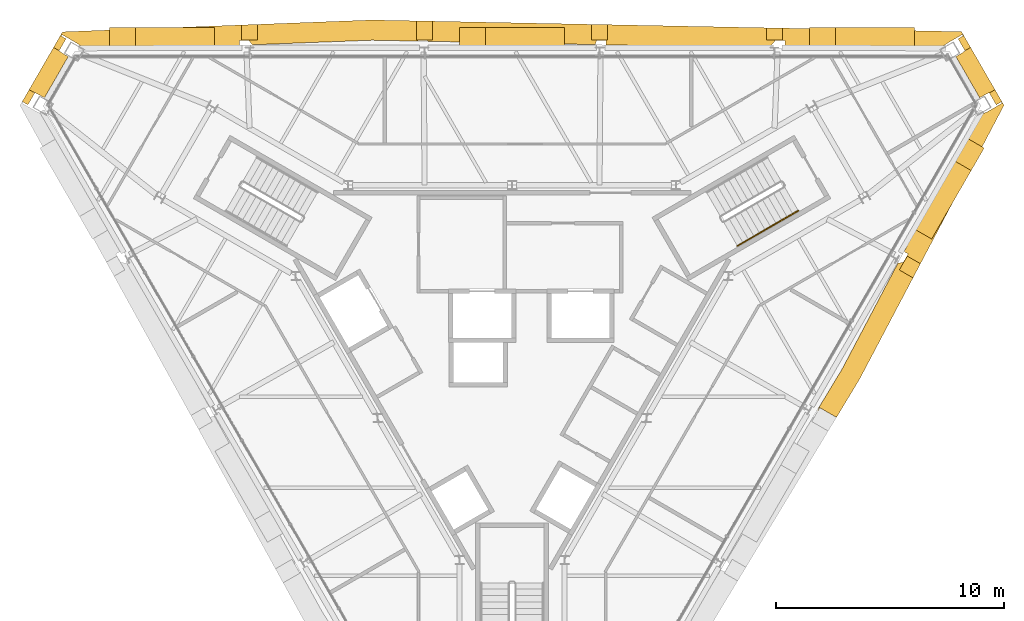
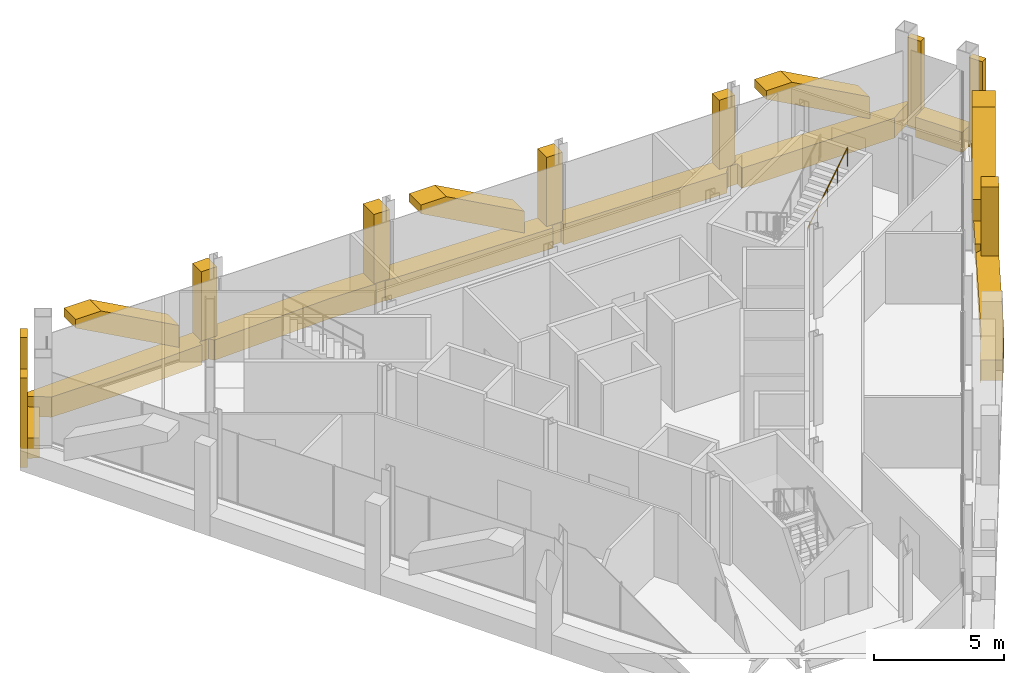
# One storey, part 13 of 13: 17 coverings, 1 railing.
"""IFC4 building model written with IfcOpenShell, lengths in metres."""

from ifc_helpers import new_model, si_unit, direction, frame, origin, origin_2d, place, context, subcontext, project, spatial, polyline, circle, outline, extrude, material, layer, layer_set, type_object, element, save


model = new_model("IFC4")

# Units and contexts
model_context = context("Model", 3, precision=1e-05, world=origin(), true_north=direction((0.0, 1.0)))
body_context = subcontext(model_context, "Body", "Model", "MODEL_VIEW")
ifc_project = project(units=[si_unit("LENGTHUNIT", "METRE"), si_unit("AREAUNIT", "SQUARE_METRE"), si_unit("VOLUMEUNIT", "CUBIC_METRE"), si_unit("PLANEANGLEUNIT", "RADIAN"), si_unit("MASSUNIT", "GRAM", prefix="KILO")], contexts=[model_context])

# Site, building, storey
site_placement = place(None, origin())
site = spatial("IfcSite", under=ifc_project, at=site_placement, CompositionType="ELEMENT")
building_placement = place(site_placement, origin())
building = spatial("IfcBuilding", under=site, at=building_placement, Name="Verrane Prism Tower", CompositionType="ELEMENT")
storey_placement = place(building_placement, frame((0.0, 0.0, 308.39990234375)))
storey = spatial("IfcBuildingStorey", under=building, at=storey_placement, Name="L78", CompositionType="ELEMENT", Elevation=308.39990234375)

# Railing
ifc_material_1 = material(Name="Steel A36 tube", Category="steel")
railing_type = type_object("IfcRailingType", Name="Stair handrail 900 steel tube", PredefinedType="HANDRAIL", material=ifc_material_1)
railing_placement = place(storey_placement, frame((9.872314453125, 4.140869140625, 2.275146484375)))
element("IfcRailing", 1, at=railing_placement, inside=storey, type_object=railing_type, Name="Stair 1 handrail", PredefinedType="HANDRAIL", context=body_context, shape_type="SweptSolid", body=[
    extrude(circle(Radius=0.02392578125, at=origin_2d()), frame((0.0, 0.0, 0.8759765625), z_axis=(0.734364028329, 0.424015404183, 0.530019255228), x_axis=(-0.500026652407, 0.866010015463, 0.0)), (0.0, 0.0, 1.0), 3.632080078125),
    extrude(circle(Radius=0.02099609375, at=origin_2d()), origin(), (0.0, 0.0, 1.0), 0.851806640625),
    extrude(circle(Radius=0.02099609375, at=origin_2d()), frame((0.666748046875, 0.385009765625, 0.481201171875)), (0.0, 0.0, 1.0), 0.851806640625),
    extrude(circle(Radius=0.02099609375, at=origin_2d()), frame((1.33349609375, 0.77001953125, 0.96240234375)), (0.0, 0.0, 1.0), 0.851806640625),
    extrude(circle(Radius=0.02099609375, at=origin_2d()), frame((2.00048828125, 1.155029296875, 1.44384765625)), (0.0, 0.0, 1.0), 0.851806640625),
    extrude(circle(Radius=0.02099609375, at=origin_2d()), frame((2.667236328125, 1.5400390625, 1.925048828125)), (0.0, 0.0, 1.0), 0.851806640625),
])

# Coverings
ifc_material_2 = material(Name="Warm limestone cladding", Category="masonry")
ifc_layer_1 = layer(ifc_material_2, 0.89990234375)
ifc_layer_set_1 = layer_set([ifc_layer_1], Name="Stone brace fin 900")
covering_type_1 = type_object("IfcCoveringType", Name="Stone brace fin 900", PredefinedType="CLADDING", material=ifc_layer_set_1)
for number, where, z_axis, x_axis, name in (
    (2, (17.638671875, 13.25, 0.326904296875), (0.0, 0.0, 1.0), (-1.0, 0.0, 0.0), "Stone brace fin N1 L78"),
    (3, (2.30078125, 13.25, 0.326904296875), (0.0, 0.0, 1.0), (-1.0, 0.0, 0.0), "Stone brace fin N3 L78"),
    (4, (-13.037109375, 13.25, 0.326904296875), (0.0, 0.0, 1.0), (-1.0, 0.0, 0.0), "Stone brace fin N5 L78"),
    (5, (17.993408203125, 4.66552734375, 0.326904296875), (0.0, 0.0, 1.0), (0.5000194552, 0.866014171028, 0.0), "Stone brace fin SE5 L78"),
):
    element("IfcCovering", number, at=place(storey_placement, frame(where, z_axis=z_axis, x_axis=x_axis)), inside=storey, type_object=covering_type_1, Name=name, PredefinedType="CLADDING", context=body_context, shape_type="SweptSolid", body=[
        extrude(outline(polyline([(4.601318359375, 2.923095703125), (3.463623046875, 2.923095703125), (0.0, 1.0263671875), (0.0, 0.0), (4.601318359375, 2.52001953125), (4.601318359375, 2.923095703125)])), frame((0.0, 0.449951171875, 0.0), z_axis=(0.0, -1.0, 0.0), x_axis=(1.0, 0.0, 0.0)), (0.0, 0.0, 1.0), 0.89990234375),
    ])
ifc_material_3 = material(Name="Warm limestone cladding", Category="masonry")
covering_type_2 = type_object("IfcCoveringType", Name="Stone corner pier 600", PredefinedType="CLADDING", material=ifc_material_3)
covering_1_placement = place(storey_placement, frame((0.0, 0.0, -0.949951171875)))
element("IfcCovering", 6, at=covering_1_placement, inside=storey, type_object=covering_type_2, Name="Stone pier MC-NE.a L78", PredefinedType="CLADDING", context=body_context, shape_type="SweptSolid", body=[
    extrude(outline(polyline([(20.910888671875, 10.838623046875), (21.06103515625, 10.578857421875), (21.2109375, 10.319091796875), (21.457763671875, 10.46142578125), (21.15771484375, 10.98095703125), (20.910888671875, 10.838623046875)])), origin(), (0.0, 0.0, 1.0), 4.199951171875),
])
covering_2_placement = place(storey_placement, frame((0.0, 0.0, -0.949951171875)))
element("IfcCovering", 7, at=covering_2_placement, inside=storey, type_object=covering_type_2, Name="Stone pier MC-NE.b L78", PredefinedType="CLADDING", context=body_context, shape_type="SweptSolid", body=[
    extrude(outline(polyline([(19.5419921875, 13.209716796875), (19.5576171875, 13.182861328125), (19.842041015625, 12.690185546875), (20.088623046875, 12.83251953125), (19.788818359375, 13.352294921875), (19.5419921875, 13.209716796875)])), origin(), (0.0, 0.0, 1.0), 4.199951171875),
])
covering_3_placement = place(storey_placement, frame((0.0, 0.0, -0.949951171875)))
element("IfcCovering", 8, at=covering_3_placement, inside=storey, type_object=covering_type_2, Name="Stone pier MC-NW.a L78", PredefinedType="CLADDING", context=body_context, shape_type="SweptSolid", body=[
    extrude(outline(polyline([(-19.842041015625, 12.690185546875), (-19.5419921875, 13.209716796875), (-19.788818359375, 13.352294921875), (-20.088623046875, 12.83251953125), (-19.842041015625, 12.690185546875)])), origin(), (0.0, 0.0, 1.0), 4.199951171875),
])
covering_4_placement = place(storey_placement, frame((0.0, 0.0, -0.949951171875)))
element("IfcCovering", 9, at=covering_4_placement, inside=storey, type_object=covering_type_2, Name="Stone pier MC-NW.b L78", PredefinedType="CLADDING", context=body_context, shape_type="SweptSolid", body=[
    extrude(outline(polyline([(-21.2109375, 10.319091796875), (-20.910888671875, 10.838623046875), (-21.15771484375, 10.98095703125), (-21.457763671875, 10.46142578125), (-21.2109375, 10.319091796875)])), origin(), (0.0, 0.0, 1.0), 4.199951171875),
])
ifc_material_4 = material(Name="Warm limestone cladding", Category="masonry")
covering_type_3 = type_object("IfcCoveringType", Name="Stone pier 700", PredefinedType="CLADDING", material=ifc_material_4)
covering_5_placement = place(storey_placement, frame((0.0, 0.0, -0.949951171875)))
element("IfcCovering", 10, at=covering_5_placement, inside=storey, type_object=covering_type_3, Name="Stone pier PC-N1 L78", PredefinedType="CLADDING", context=body_context, shape_type="SweptSolid", body=[
    extrude(outline(polyline([(11.1533203125, 13.14990234375), (11.853515625, 13.14990234375), (11.853515625, 13.6796875), (11.1533203125, 13.693359375), (11.1533203125, 13.14990234375)])), origin(), (0.0, 0.0, 1.0), 4.199951171875),
])
covering_6_placement = place(storey_placement, frame((0.0, 0.0, -0.949951171875)))
element("IfcCovering", 11, at=covering_6_placement, inside=storey, type_object=covering_type_3, Name="Stone pier PC-N2 L78", PredefinedType="CLADDING", context=body_context, shape_type="SweptSolid", body=[
    extrude(outline(polyline([(3.484619140625, 13.14990234375), (4.1845703125, 13.14990234375), (4.1845703125, 13.8310546875), (3.484619140625, 13.844970703125), (3.484619140625, 13.14990234375)])), origin(), (0.0, 0.0, 1.0), 4.199951171875),
])
covering_7_placement = place(storey_placement, frame((0.0, 0.0, -0.949951171875)))
element("IfcCovering", 12, at=covering_7_placement, inside=storey, type_object=covering_type_3, Name="Stone pier PC-N3 L78", PredefinedType="CLADDING", context=body_context, shape_type="SweptSolid", body=[
    extrude(outline(polyline([(-4.1845703125, 13.14990234375), (-3.484619140625, 13.14990234375), (-3.484619140625, 13.982666015625), (-4.1845703125, 13.996337890625), (-4.1845703125, 13.14990234375)])), origin(), (0.0, 0.0, 1.0), 4.199951171875),
])
covering_8_placement = place(storey_placement, frame((0.0, 0.0, -0.949951171875)))
element("IfcCovering", 13, at=covering_8_placement, inside=storey, type_object=covering_type_3, Name="Stone pier PC-N4 L78", PredefinedType="CLADDING", context=body_context, shape_type="SweptSolid", body=[
    extrude(outline(polyline([(-11.853515625, 13.14990234375), (-11.1533203125, 13.14990234375), (-11.1533203125, 13.843017578125), (-11.853515625, 13.816162109375), (-11.853515625, 13.14990234375)])), origin(), (0.0, 0.0, 1.0), 4.199951171875),
])
covering_9_placement = place(storey_placement, frame((0.0, 0.0, -0.949951171875)))
element("IfcCovering", 14, at=covering_9_placement, inside=storey, type_object=covering_type_3, Name="Stone pier PC-SE4 L78", PredefinedType="CLADDING", context=body_context, shape_type="SweptSolid", body=[
    extrude(outline(polyline([(17.31494140625, 3.6904296875), (16.96484375, 3.084228515625), (17.565185546875, 2.73779296875), (17.891845703125, 3.357421875), (17.31494140625, 3.6904296875)])), origin(), (0.0, 0.0, 1.0), 4.199951171875),
])
ifc_material_5 = material(Name="Warm limestone cladding", Category="masonry")
ifc_layer_2 = layer(ifc_material_5, 0.449951171875)
ifc_layer_set_2 = layer_set([ifc_layer_2], Name="Stone spandrel band 450")
covering_type_4 = type_object("IfcCoveringType", Name="Stone spandrel band 450", PredefinedType="CLADDING", material=ifc_layer_set_2)
covering_10_placement = place(storey_placement, frame((0.0, 0.0, -0.949951171875)))
element("IfcCovering", 15, at=covering_10_placement, inside=storey, type_object=covering_type_4, Name="Stone spandrel band L78 part 1", PredefinedType="CLADDING", context=body_context, shape_type="SweptSolid", body=[
    extrude(outline(polyline([(-19.788818359375, 13.352294921875), (-19.756591796875, 13.333740234375), (-19.720703125, 13.39599609375), (-19.08740234375, 13.030517578125), (-18.724853515625, 12.777099609375), (-15.861083984375, 12.777099609375), (-11.94921875, 12.927001953125), (-11.94921875, 13.134521484375), (-11.531982421875, 13.134521484375), (-11.37255859375, 12.94921875), (-6.13525390625, 13.14990234375), (-4.125, 13.1103515625), (-4.125, 13.134521484375), (-3.69921875, 13.134521484375), (-3.689697265625, 13.101806640625), (3.647705078125, 12.956787109375), (3.69921875, 13.134521484375), (4.125, 13.134521484375), (4.125, 12.947265625), (11.296142578125, 12.8056640625), (11.296142578125, 12.860107421875), (11.531982421875, 13.134521484375), (11.94921875, 13.134521484375), (11.94921875, 12.792724609375), (12.744384765625, 12.777099609375), (18.724853515625, 12.777099609375), (19.08740234375, 13.030517578125), (19.720703125, 13.39599609375), (19.756591796875, 13.333740234375), (19.788818359375, 13.352294921875), (19.68896484375, 13.52490234375), (11.853515625, 13.6796875), (11.853515625, 13.14990234375), (11.1533203125, 13.14990234375), (11.1533203125, 13.693359375), (4.1845703125, 13.8310546875), (4.1845703125, 13.14990234375), (3.484619140625, 13.14990234375), (3.484619140625, 13.844970703125), (-3.484619140625, 13.982666015625), (-3.484619140625, 13.14990234375), (-4.1845703125, 13.14990234375), (-4.1845703125, 13.996337890625), (-6.143310546875, 14.03515625), (-11.1533203125, 13.843017578125), (-11.1533203125, 13.14990234375), (-11.853515625, 13.14990234375), (-11.853515625, 13.816162109375), (-19.6943359375, 13.515380859375), (-19.788818359375, 13.352294921875)])), origin(), (0.0, 0.0, 1.0), 0.949951171875),
])
covering_11_placement = place(storey_placement, frame((0.0, 0.0, -0.949951171875)))
element("IfcCovering", 16, at=covering_11_placement, inside=storey, type_object=covering_type_4, Name="Stone spandrel band L78 part 2", PredefinedType="CLADDING", context=body_context, shape_type="SweptSolid", body=[
    extrude(outline(polyline([(21.457763671875, 10.46142578125), (21.4267578125, 10.443603515625), (21.461181640625, 10.38427734375), (20.827880859375, 10.0185546875), (20.430419921875, 9.83251953125), (18.99560546875, 7.34765625), (17.172119140625, 3.889404296875), (17.3525390625, 3.785400390625), (17.143798828125, 3.42431640625), (16.9033203125, 3.37939453125), (14.455810546875, -1.26171875), (13.41845703125, -2.979248046875), (13.436767578125, -2.98974609375), (13.37109375, -3.103759765625), (13.38134765625, -3.12255859375), (13.48046875, -2.951171875), (14.21337890625, -3.374267578125), (15.2265625, -1.697265625), (17.565185546875, 2.73779296875), (16.96484375, 3.084228515625), (17.31494140625, 3.6904296875), (17.891845703125, 3.357421875), (21.552001953125, 10.298095703125), (21.457763671875, 10.46142578125)])), origin(), (0.0, 0.0, 1.0), 0.949951171875),
])
covering_12_placement = place(storey_placement, frame((0.0, 0.0, -0.949951171875)))
element("IfcCovering", 17, at=covering_12_placement, inside=storey, type_object=covering_type_4, Name="Stone spandrel band L78 part 9", PredefinedType="CLADDING", context=body_context, shape_type="SweptSolid", body=[
    extrude(outline(polyline([(20.088623046875, 12.83251953125), (19.912109375, 12.730712890625), (19.674072265625, 12.564208984375), (19.445068359375, 12.431884765625), (20.4873046875, 10.62646484375), (20.717529296875, 10.759521484375), (21.015625, 10.89892578125), (21.15771484375, 10.98095703125), (20.088623046875, 12.83251953125)])), origin(), (0.0, 0.0, 1.0), 0.949951171875),
])
covering_13_placement = place(storey_placement, frame((0.0, 0.0, -0.949951171875)))
element("IfcCovering", 18, at=covering_13_placement, inside=storey, type_object=covering_type_4, Name="Stone spandrel band L78 part 10", PredefinedType="CLADDING", context=body_context, shape_type="SweptSolid", body=[
    extrude(outline(polyline([(-21.15771484375, 10.98095703125), (-21.015625, 10.89892578125), (-20.717529296875, 10.759521484375), (-20.4873046875, 10.62646484375), (-19.445068359375, 12.431884765625), (-19.674072265625, 12.564208984375), (-19.912109375, 12.730712890625), (-20.088623046875, 12.83251953125), (-21.15771484375, 10.98095703125)])), origin(), (0.0, 0.0, 1.0), 0.949951171875),
])

save(model, "model.ifc")
